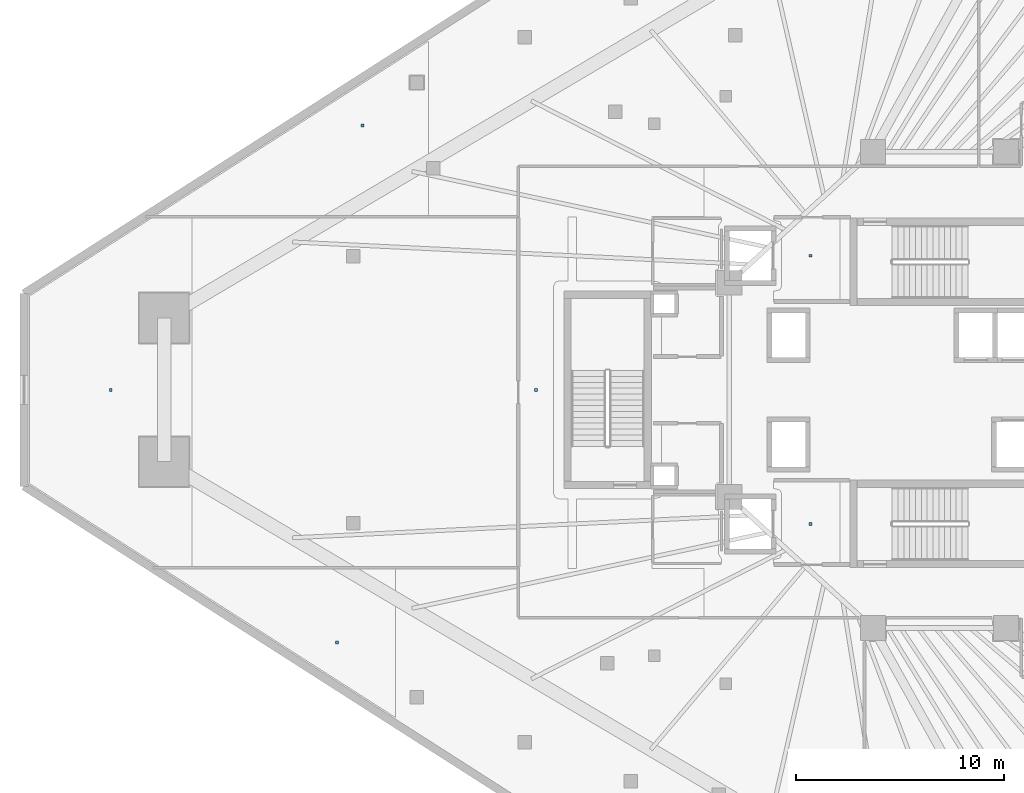
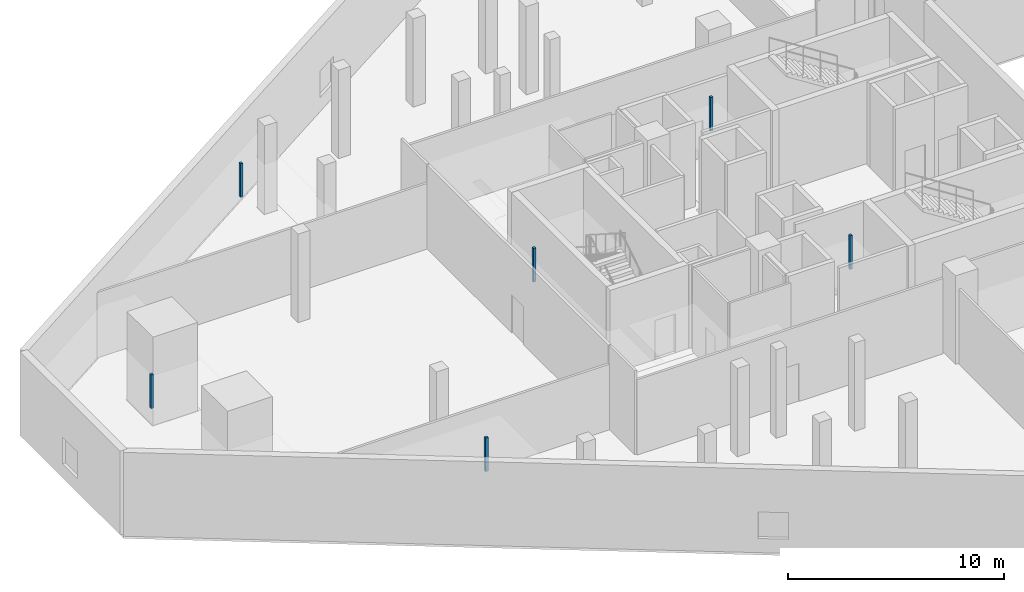
# One storey, part 36 of 47: 6 discrete accessories.
"""IFC4 building model written with IfcOpenShell, lengths in metres."""

from ifc_helpers import new_model, si_unit, direction, frame, origin, origin_2d, place, context, subcontext, project, spatial, rectangle, extrude, material, type_object, element, save


model = new_model("IFC4")

# Units and contexts
model_context = context("Model", 3, precision=1e-05, world=origin(), true_north=direction((0.0, 1.0)))
body_context = subcontext(model_context, "Body", "Model", "MODEL_VIEW")
ifc_project = project(units=[si_unit("LENGTHUNIT", "METRE"), si_unit("AREAUNIT", "SQUARE_METRE"), si_unit("VOLUMEUNIT", "CUBIC_METRE"), si_unit("PLANEANGLEUNIT", "RADIAN"), si_unit("MASSUNIT", "GRAM", prefix="KILO")], contexts=[model_context])

# Site, building, storey
site_placement = place(None, origin())
site = spatial("IfcSite", under=ifc_project, at=site_placement, CompositionType="ELEMENT")
building_placement = place(site_placement, origin())
building = spatial("IfcBuilding", under=site, at=building_placement, Name="Qorvath Tower", CompositionType="ELEMENT")
storey_placement = place(building_placement, frame((0.0, 0.0, 12.0)))
storey = spatial("IfcBuildingStorey", under=building, at=storey_placement, Name="L02", CompositionType="ELEMENT", Elevation=12.0)

# Discrete accessories
ifc_material = material(Name="Galvanised steel bracket", Category="steel")
discrete_accessory_type = type_object("IfcDiscreteAccessoryType", Name="DA-BRACKET", PredefinedType="BRACKET", material=ifc_material)
for number, where, z_axis, x_axis, name in (
    (1, (-26.590087890625, 6.449951171875, 2.85986328125), (0.0, 0.0, 1.0), (1.0, 0.0, 0.0), "Acoustic Ceiling Suspension Hanger T1-L02-001"),
    (2, (-26.590087890625, -6.449951171875, 2.85986328125), (0.0, 0.0, 1.0), (1.0, 0.0, 0.0), "Acoustic Ceiling Suspension Hanger T1-L02-002"),
    (3, (-39.797607421875, 0.0, 2.85986328125), (0.0, 0.0, 1.0), (1.0, 0.0, 0.0), "Acoustic Ceiling Suspension Hanger T1-L02-007"),
    (4, (-48.131591796875, 12.71337890625, 2.85986328125), (0.0, 0.0, 1.0), (1.0, 0.0, 0.0), "Acoustic Ceiling Suspension Hanger T1-L02-010"),
    (5, (-49.36474609375, -12.15576171875, 2.85986328125), (0.0, 0.0, 1.0), (1.0, 0.0, 0.0), "Acoustic Ceiling Suspension Hanger T1-L02-012"),
    (6, (-60.247314453125, 0.0, 2.85986328125), (0.0, 0.0, 1.0), (1.0, 0.0, 0.0), "Acoustic Ceiling Suspension Hanger T1-L02-013"),
):
    element("IfcDiscreteAccessory", number, at=place(storey_placement, frame(where, z_axis=z_axis, x_axis=x_axis)), inside=storey, type_object=discrete_accessory_type, Name=name, PredefinedType="NOTDEFINED", context=body_context, shape_type="SweptSolid", body=[
        extrude(rectangle(XDim=0.139892578125, YDim=0.139892578125, at=origin_2d()), origin(), (0.0, 0.0, 1.0), 1.909912109375),
    ])

save(model, "model.ifc")
